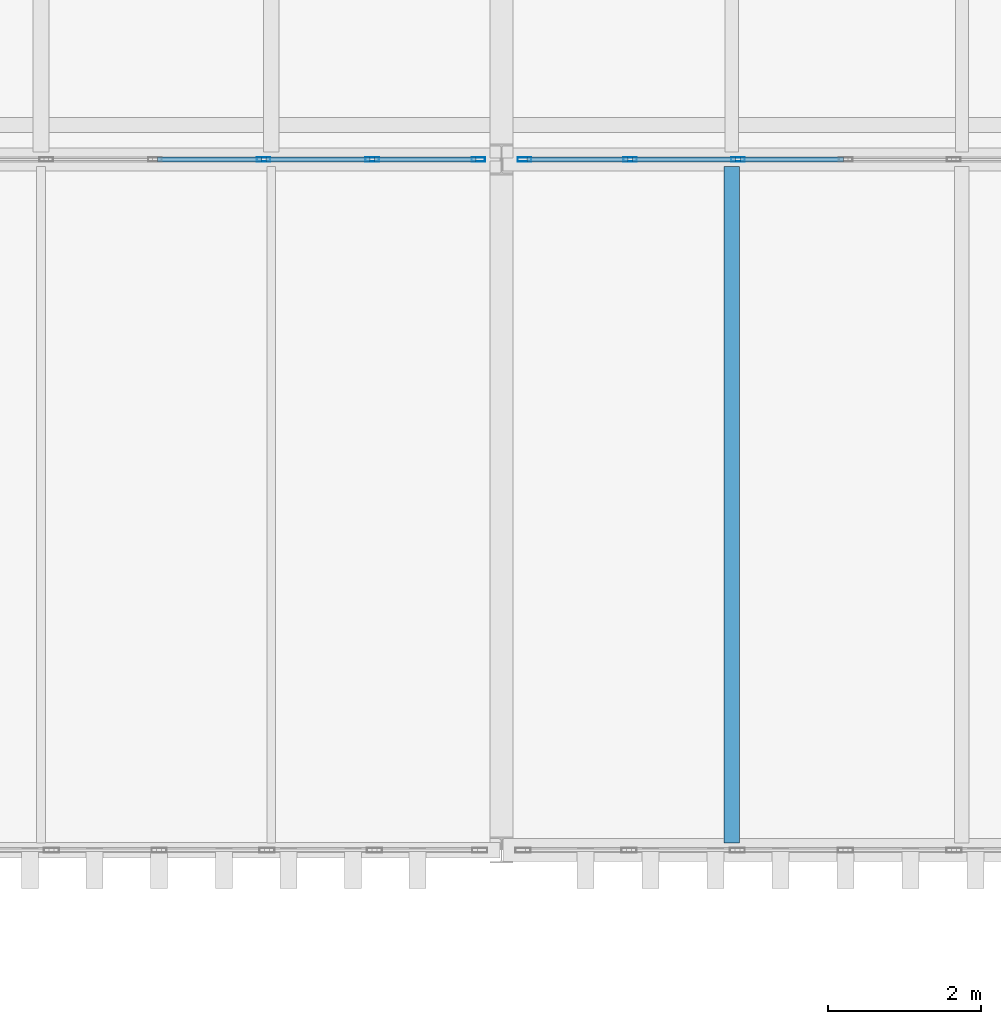
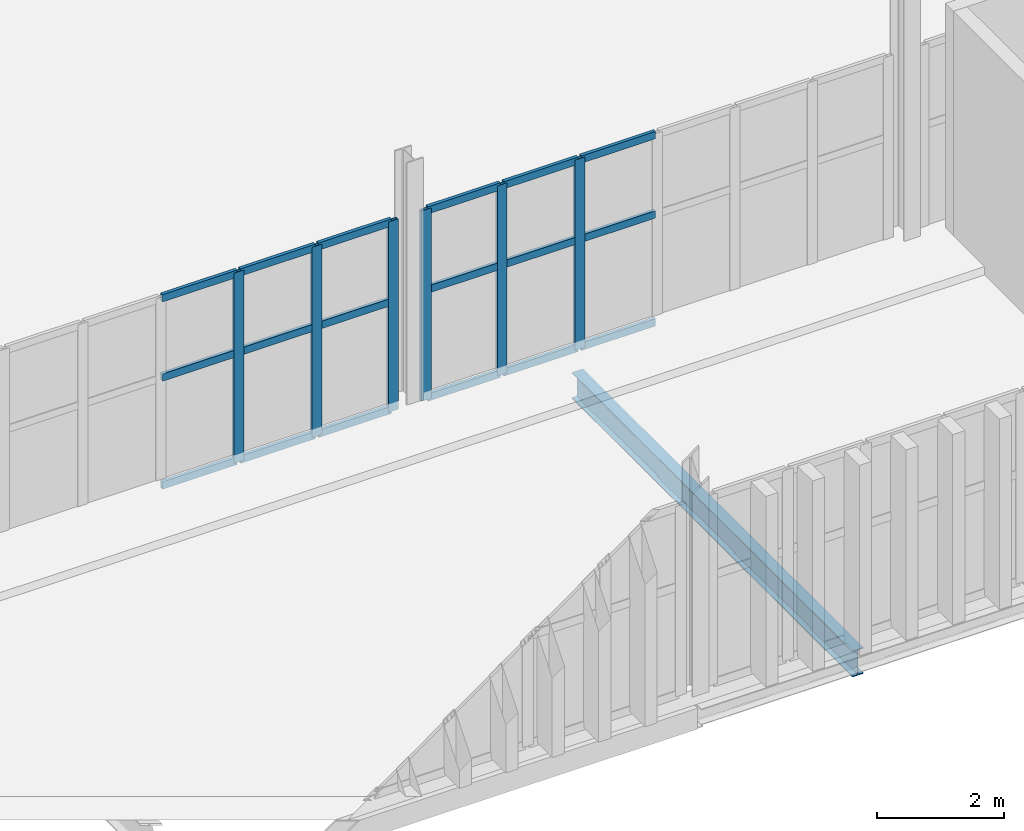
# One storey, part 42 of 196: 24 members, 1 beam, 2 elements without a shape of their own.
"""IFC4 building model written with IfcOpenShell, lengths in metres."""

from ifc_helpers import new_model, si_unit, direction, frame, origin, origin_2d, place, context, subcontext, project, spatial, hollow_rectangle, i_section, extrude, material, layer, layer_set, material_profile, profile_set, type_object, element, aggregate, save


model = new_model("IFC4")

# Units and contexts
model_context = context("Model", 3, precision=1e-05, world=origin(), true_north=direction((0.0, 1.0)))
body_context = subcontext(model_context, "Body", "Model", "MODEL_VIEW")
ifc_project = project(units=[si_unit("LENGTHUNIT", "METRE"), si_unit("AREAUNIT", "SQUARE_METRE"), si_unit("VOLUMEUNIT", "CUBIC_METRE"), si_unit("PLANEANGLEUNIT", "RADIAN"), si_unit("MASSUNIT", "GRAM", prefix="KILO")], contexts=[model_context])

# Site, building, storey
site_placement = place(None, origin())
site = spatial("IfcSite", under=ifc_project, at=site_placement, CompositionType="ELEMENT")
building_placement = place(site_placement, origin())
building = spatial("IfcBuilding", under=site, at=building_placement, Name="Barlavento Convention Centre", CompositionType="ELEMENT")
storey_placement = place(building_placement, frame((0.0, 0.0, 18.0)))
storey = spatial("IfcBuildingStorey", under=building, at=storey_placement, Name="L03", CompositionType="ELEMENT", Elevation=18.0)

# Curtain wall, members
ifc_material_1 = material(Name="Powder-coated aluminium and Low-E glass", Category="aluminium")
ifc_layer = layer(ifc_material_1, 0.179931640625)
ifc_layer_set = layer_set([ifc_layer], Name="ARC-CW-CONF-L03")
curtain_wall_type = type_object("IfcCurtainWallType", Name="ARC-CW-CONF-L03", PredefinedType="NOTDEFINED", material=ifc_layer_set)
curtain_wall_1_placement = place(storey_placement, origin())
curtain_wall_1 = element("IfcCurtainWall", 1, at=curtain_wall_1_placement, inside=storey, type_object=curtain_wall_type, Name="L03 unitised curtain wall CW08", PredefinedType="NOTDEFINED")
ifc_material_2 = material(Name="Powder-coated aluminium", Category="aluminium")
ifc_material_profile_1 = material_profile(ifc_material_2, hollow_rectangle(XDim=0.06005859375, YDim=0.179931640625, WallThickness=0.0048828125, at=origin_2d()), Name="AL-MULL 60x180x5")
ifc_profile_set_1 = profile_set([ifc_material_profile_1], Name="Powder-coated aluminium")
member_type_1 = type_object("IfcMemberType", Name="ARC-CWM-60X180", PredefinedType="MULLION", material=ifc_profile_set_1)
member_1_placement = place(storey_placement, frame((104.89990234375, 54.0, 0.0), z_axis=(0.0, 0.0, 1.0), x_axis=(0.0, 1.0, 0.0)))
member_1 = element("IfcMember", 2, at=member_1_placement, type_object=member_type_1, Name="CW08 mullion 5", PredefinedType="MULLION", context=body_context, shape_type="SweptSolid", body=[
    extrude(hollow_rectangle(XDim=0.06005859375, YDim=0.179931640625, WallThickness=0.0048828125, at=origin_2d()), origin(), (0.0, 0.0, 1.0), 3.64990234375),
])
member_2_placement = place(storey_placement, frame((106.31494140625, 54.0, 0.0), z_axis=(0.0, 0.0, 1.0), x_axis=(0.0, 1.0, 0.0)))
member_2 = element("IfcMember", 3, at=member_2_placement, type_object=member_type_1, Name="CW08 mullion 6", PredefinedType="MULLION", context=body_context, shape_type="SweptSolid", body=[
    extrude(hollow_rectangle(XDim=0.06005859375, YDim=0.179931640625, WallThickness=0.0048828125, at=origin_2d()), origin(), (0.0, 0.0, 1.0), 3.64990234375),
])
member_3_placement = place(storey_placement, frame((107.699951171875, 54.0, 0.0), z_axis=(0.0, 0.0, 1.0), x_axis=(0.0, 1.0, 0.0)))
member_3 = element("IfcMember", 4, at=member_3_placement, type_object=member_type_1, Name="CW08 mullion 7", PredefinedType="MULLION", context=body_context, shape_type="SweptSolid", body=[
    extrude(hollow_rectangle(XDim=0.06005859375, YDim=0.179931640625, WallThickness=0.0048828125, at=origin_2d()), origin(), (0.0, 0.0, 1.0), 3.64990234375),
])

curtain_wall_2_placement = place(storey_placement, origin())
curtain_wall_2 = element("IfcCurtainWall", 5, at=curtain_wall_2_placement, inside=storey, type_object=curtain_wall_type, Name="L03 unitised curtain wall CW08", PredefinedType="NOTDEFINED")
member_4_placement = place(storey_placement, frame((108.300048828125, 54.0, 0.0), z_axis=(0.0, 0.0, 1.0), x_axis=(0.0, 1.0, 0.0)))
member_4 = element("IfcMember", 6, at=member_4_placement, type_object=member_type_1, Name="CW08 mullion 1", PredefinedType="MULLION", context=body_context, shape_type="SweptSolid", body=[
    extrude(hollow_rectangle(XDim=0.06005859375, YDim=0.179931640625, WallThickness=0.0048828125, at=origin_2d()), origin(), (0.0, 0.0, 1.0), 3.64990234375),
])
member_5_placement = place(storey_placement, frame((109.67578125, 54.0, 0.0), z_axis=(0.0, 0.0, 1.0), x_axis=(0.0, 1.0, 0.0)))
member_5 = element("IfcMember", 7, at=member_5_placement, type_object=member_type_1, Name="CW08 mullion 2", PredefinedType="MULLION", context=body_context, shape_type="SweptSolid", body=[
    extrude(hollow_rectangle(XDim=0.06005859375, YDim=0.179931640625, WallThickness=0.0048828125, at=origin_2d()), origin(), (0.0, 0.0, 1.0), 3.64990234375),
])
member_6_placement = place(storey_placement, frame((111.081787109375, 54.0, 0.0), z_axis=(0.0, 0.0, 1.0), x_axis=(0.0, 1.0, 0.0)))
member_6 = element("IfcMember", 8, at=member_6_placement, type_object=member_type_1, Name="CW08 mullion 3", PredefinedType="MULLION", context=body_context, shape_type="SweptSolid", body=[
    extrude(hollow_rectangle(XDim=0.06005859375, YDim=0.179931640625, WallThickness=0.0048828125, at=origin_2d()), origin(), (0.0, 0.0, 1.0), 3.64990234375),
])

# Member
ifc_material_profile_2 = material_profile(ifc_material_2, hollow_rectangle(XDim=0.06005859375, YDim=0.139892578125, WallThickness=0.00390625, at=origin_2d()), Name="AL-TRAN 60x140x4")
ifc_profile_set_2 = profile_set([ifc_material_profile_2], Name="Powder-coated aluminium")
member_type_2 = type_object("IfcMemberType", Name="ARC-CWT-60X140", PredefinedType="USERDEFINED", material=ifc_profile_set_2)
member_7_placement = place(storey_placement, frame((103.514892578125, 54.0, 0.030029296875), z_axis=(1.0, 0.0, 0.0), x_axis=(0.0, 1.0, 0.0)))
member_7 = element("IfcMember", 9, at=member_7_placement, type_object=member_type_2, Name="CW08 transom 4.1", ObjectType="TRANSOM", PredefinedType="USERDEFINED", context=body_context, shape_type="SweptSolid", body=[
    extrude(hollow_rectangle(XDim=0.06005859375, YDim=0.139892578125, WallThickness=0.00390625, at=origin_2d()), origin(), (0.0, 0.0, 1.0), 1.355224609375),
])

member_8_placement = place(storey_placement, frame((103.514892578125, 54.0, 2.10009765625), z_axis=(1.0, 0.0, 0.0), x_axis=(0.0, 1.0, 0.0)))
member_8 = element("IfcMember", 10, at=member_8_placement, type_object=member_type_2, Name="CW08 transom 4.2", ObjectType="TRANSOM", PredefinedType="USERDEFINED", context=body_context, shape_type="SweptSolid", body=[
    extrude(hollow_rectangle(XDim=0.06005859375, YDim=0.139892578125, WallThickness=0.00390625, at=origin_2d()), origin(), (0.0, 0.0, 1.0), 1.355224609375),
])

member_9_placement = place(storey_placement, frame((103.514892578125, 54.0, 3.6201171875), z_axis=(1.0, 0.0, 0.0), x_axis=(0.0, 1.0, 0.0)))
member_9 = element("IfcMember", 11, at=member_9_placement, type_object=member_type_2, Name="CW08 transom 4.3", ObjectType="TRANSOM", PredefinedType="USERDEFINED", context=body_context, shape_type="SweptSolid", body=[
    extrude(hollow_rectangle(XDim=0.06005859375, YDim=0.139892578125, WallThickness=0.00390625, at=origin_2d()), origin(), (0.0, 0.0, 1.0), 1.355224609375),
])

member_10_placement = place(storey_placement, frame((104.929931640625, 54.0, 0.030029296875), z_axis=(1.0, 0.0, 0.0), x_axis=(0.0, 1.0, 0.0)))
member_10 = element("IfcMember", 12, at=member_10_placement, type_object=member_type_2, Name="CW08 transom 5.1", ObjectType="TRANSOM", PredefinedType="USERDEFINED", context=body_context, shape_type="SweptSolid", body=[
    extrude(hollow_rectangle(XDim=0.06005859375, YDim=0.139892578125, WallThickness=0.00390625, at=origin_2d()), origin(), (0.0, 0.0, 1.0), 1.35498046875),
])

member_11_placement = place(storey_placement, frame((104.929931640625, 54.0, 2.10009765625), z_axis=(1.0, 0.0, 0.0), x_axis=(0.0, 1.0, 0.0)))
member_11 = element("IfcMember", 13, at=member_11_placement, type_object=member_type_2, Name="CW08 transom 5.2", ObjectType="TRANSOM", PredefinedType="USERDEFINED", context=body_context, shape_type="SweptSolid", body=[
    extrude(hollow_rectangle(XDim=0.06005859375, YDim=0.139892578125, WallThickness=0.00390625, at=origin_2d()), origin(), (0.0, 0.0, 1.0), 1.35498046875),
])

member_12_placement = place(storey_placement, frame((104.929931640625, 54.0, 3.6201171875), z_axis=(1.0, 0.0, 0.0), x_axis=(0.0, 1.0, 0.0)))
member_12 = element("IfcMember", 14, at=member_12_placement, type_object=member_type_2, Name="CW08 transom 5.3", ObjectType="TRANSOM", PredefinedType="USERDEFINED", context=body_context, shape_type="SweptSolid", body=[
    extrude(hollow_rectangle(XDim=0.06005859375, YDim=0.139892578125, WallThickness=0.00390625, at=origin_2d()), origin(), (0.0, 0.0, 1.0), 1.35498046875),
])

member_13_placement = place(storey_placement, frame((106.344970703125, 54.0, 0.030029296875), z_axis=(1.0, 0.0, 0.0), x_axis=(0.0, 1.0, 0.0)))
member_13 = element("IfcMember", 15, at=member_13_placement, type_object=member_type_2, Name="CW08 transom 6.1", ObjectType="TRANSOM", PredefinedType="USERDEFINED", context=body_context, shape_type="SweptSolid", body=[
    extrude(hollow_rectangle(XDim=0.06005859375, YDim=0.139892578125, WallThickness=0.00390625, at=origin_2d()), origin(), (0.0, 0.0, 1.0), 1.324951171875),
])

member_14_placement = place(storey_placement, frame((106.344970703125, 54.0, 2.10009765625), z_axis=(1.0, 0.0, 0.0), x_axis=(0.0, 1.0, 0.0)))
member_14 = element("IfcMember", 16, at=member_14_placement, type_object=member_type_2, Name="CW08 transom 6.2", ObjectType="TRANSOM", PredefinedType="USERDEFINED", context=body_context, shape_type="SweptSolid", body=[
    extrude(hollow_rectangle(XDim=0.06005859375, YDim=0.139892578125, WallThickness=0.00390625, at=origin_2d()), origin(), (0.0, 0.0, 1.0), 1.324951171875),
])

member_15_placement = place(storey_placement, frame((106.344970703125, 54.0, 3.6201171875), z_axis=(1.0, 0.0, 0.0), x_axis=(0.0, 1.0, 0.0)))
member_15 = element("IfcMember", 17, at=member_15_placement, type_object=member_type_2, Name="CW08 transom 6.3", ObjectType="TRANSOM", PredefinedType="USERDEFINED", context=body_context, shape_type="SweptSolid", body=[
    extrude(hollow_rectangle(XDim=0.06005859375, YDim=0.139892578125, WallThickness=0.00390625, at=origin_2d()), origin(), (0.0, 0.0, 1.0), 1.324951171875),
])

aggregate(curtain_wall_1, [member_1, member_2, member_3, member_7, member_8, member_9, member_10, member_11, member_12, member_13, member_14, member_15])

member_16_placement = place(storey_placement, frame((108.330078125, 54.0, 0.030029296875), z_axis=(1.0, 0.0, 0.0), x_axis=(0.0, 1.0, 0.0)))
member_16 = element("IfcMember", 18, at=member_16_placement, type_object=member_type_2, Name="CW08 transom 1.1", ObjectType="TRANSOM", PredefinedType="USERDEFINED", context=body_context, shape_type="SweptSolid", body=[
    extrude(hollow_rectangle(XDim=0.06005859375, YDim=0.139892578125, WallThickness=0.00390625, at=origin_2d()), origin(), (0.0, 0.0, 1.0), 1.315673828125),
])

member_17_placement = place(storey_placement, frame((108.330078125, 54.0, 2.10009765625), z_axis=(1.0, 0.0, 0.0), x_axis=(0.0, 1.0, 0.0)))
member_17 = element("IfcMember", 19, at=member_17_placement, type_object=member_type_2, Name="CW08 transom 1.2", ObjectType="TRANSOM", PredefinedType="USERDEFINED", context=body_context, shape_type="SweptSolid", body=[
    extrude(hollow_rectangle(XDim=0.06005859375, YDim=0.139892578125, WallThickness=0.00390625, at=origin_2d()), origin(), (0.0, 0.0, 1.0), 1.315673828125),
])

member_18_placement = place(storey_placement, frame((108.330078125, 54.0, 3.6201171875), z_axis=(1.0, 0.0, 0.0), x_axis=(0.0, 1.0, 0.0)))
member_18 = element("IfcMember", 20, at=member_18_placement, type_object=member_type_2, Name="CW08 transom 1.3", ObjectType="TRANSOM", PredefinedType="USERDEFINED", context=body_context, shape_type="SweptSolid", body=[
    extrude(hollow_rectangle(XDim=0.06005859375, YDim=0.139892578125, WallThickness=0.00390625, at=origin_2d()), origin(), (0.0, 0.0, 1.0), 1.315673828125),
])

member_19_placement = place(storey_placement, frame((109.705810546875, 54.0, 0.030029296875), z_axis=(1.0, 0.0, 0.0), x_axis=(0.0, 1.0, 0.0)))
member_19 = element("IfcMember", 21, at=member_19_placement, type_object=member_type_2, Name="CW08 transom 2.1", ObjectType="TRANSOM", PredefinedType="USERDEFINED", context=body_context, shape_type="SweptSolid", body=[
    extrude(hollow_rectangle(XDim=0.06005859375, YDim=0.139892578125, WallThickness=0.00390625, at=origin_2d()), origin(), (0.0, 0.0, 1.0), 1.345947265625),
])

member_20_placement = place(storey_placement, frame((109.705810546875, 54.0, 2.10009765625), z_axis=(1.0, 0.0, 0.0), x_axis=(0.0, 1.0, 0.0)))
member_20 = element("IfcMember", 22, at=member_20_placement, type_object=member_type_2, Name="CW08 transom 2.2", ObjectType="TRANSOM", PredefinedType="USERDEFINED", context=body_context, shape_type="SweptSolid", body=[
    extrude(hollow_rectangle(XDim=0.06005859375, YDim=0.139892578125, WallThickness=0.00390625, at=origin_2d()), origin(), (0.0, 0.0, 1.0), 1.345947265625),
])

member_21_placement = place(storey_placement, frame((109.705810546875, 54.0, 3.6201171875), z_axis=(1.0, 0.0, 0.0), x_axis=(0.0, 1.0, 0.0)))
member_21 = element("IfcMember", 23, at=member_21_placement, type_object=member_type_2, Name="CW08 transom 2.3", ObjectType="TRANSOM", PredefinedType="USERDEFINED", context=body_context, shape_type="SweptSolid", body=[
    extrude(hollow_rectangle(XDim=0.06005859375, YDim=0.139892578125, WallThickness=0.00390625, at=origin_2d()), origin(), (0.0, 0.0, 1.0), 1.345947265625),
])

member_22_placement = place(storey_placement, frame((111.111572265625, 54.0, 0.030029296875), z_axis=(1.0, 0.0, 0.0), x_axis=(0.0, 1.0, 0.0)))
member_22 = element("IfcMember", 24, at=member_22_placement, type_object=member_type_2, Name="CW08 transom 3.1", ObjectType="TRANSOM", PredefinedType="USERDEFINED", context=body_context, shape_type="SweptSolid", body=[
    extrude(hollow_rectangle(XDim=0.06005859375, YDim=0.139892578125, WallThickness=0.00390625, at=origin_2d()), origin(), (0.0, 0.0, 1.0), 1.345947265625),
])

member_23_placement = place(storey_placement, frame((111.111572265625, 54.0, 2.10009765625), z_axis=(1.0, 0.0, 0.0), x_axis=(0.0, 1.0, 0.0)))
member_23 = element("IfcMember", 25, at=member_23_placement, type_object=member_type_2, Name="CW08 transom 3.2", ObjectType="TRANSOM", PredefinedType="USERDEFINED", context=body_context, shape_type="SweptSolid", body=[
    extrude(hollow_rectangle(XDim=0.06005859375, YDim=0.139892578125, WallThickness=0.00390625, at=origin_2d()), origin(), (0.0, 0.0, 1.0), 1.345947265625),
])

member_24_placement = place(storey_placement, frame((111.111572265625, 54.0, 3.6201171875), z_axis=(1.0, 0.0, 0.0), x_axis=(0.0, 1.0, 0.0)))
member_24 = element("IfcMember", 26, at=member_24_placement, type_object=member_type_2, Name="CW08 transom 3.3", ObjectType="TRANSOM", PredefinedType="USERDEFINED", context=body_context, shape_type="SweptSolid", body=[
    extrude(hollow_rectangle(XDim=0.06005859375, YDim=0.139892578125, WallThickness=0.00390625, at=origin_2d()), origin(), (0.0, 0.0, 1.0), 1.345947265625),
])

aggregate(curtain_wall_2, [member_4, member_5, member_6, member_16, member_17, member_18, member_19, member_20, member_21, member_22, member_23, member_24])

# Beam
ifc_material_3 = material(Name="Steel S355", Category="steel")
ifc_material_profile_3 = material_profile(ifc_material_3, i_section(OverallWidth=0.199951171875, OverallDepth=0.5, WebThickness=0.01025390625, FlangeThickness=0.01611328125, FilletRadius=0.02099609375, at=origin_2d()), Name="IPE 500")
ifc_profile_set_3 = profile_set([ifc_material_profile_3], Name="Steel S355")
beam_type = type_object("IfcBeamType", Name="STR-BM-JST-IPE500", PredefinedType="JOIST", material=ifc_profile_set_3)
beam_placement = place(storey_placement, frame((111.0, 45.094970703125, -0.594970703125), z_axis=(0.0, 1.0, 0.0), x_axis=(-1.0, 0.0, 0.0)))
element("IfcBeam", 27, at=beam_placement, inside=storey, type_object=beam_type, Name="L03 composite floor joist SJ02", PredefinedType="JOIST", context=body_context, shape_type="SweptSolid", body=[
    extrude(i_section(OverallWidth=0.199951171875, OverallDepth=0.5, WebThickness=0.01025390625, FlangeThickness=0.01611328125, FilletRadius=0.02099609375, at=origin_2d()), origin(), (0.0, 0.0, 1.0), 8.81005859375),
])

save(model, "model.ifc")
